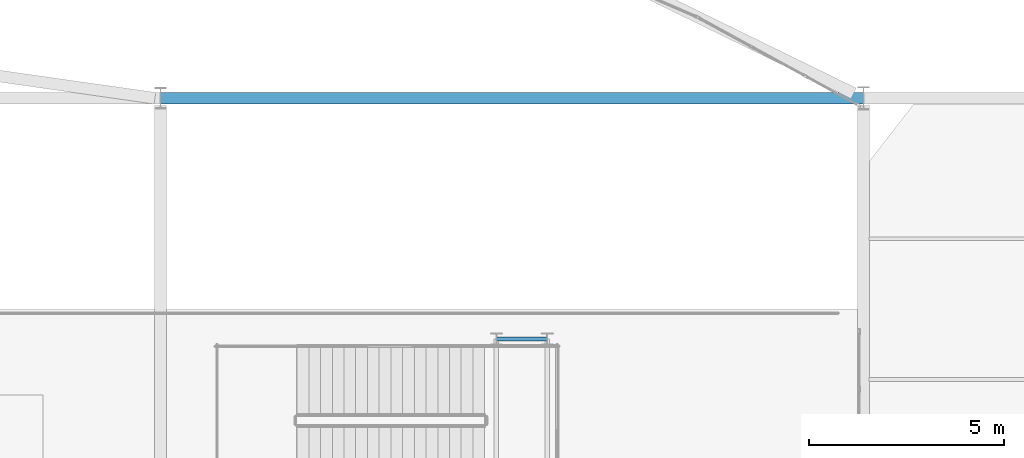
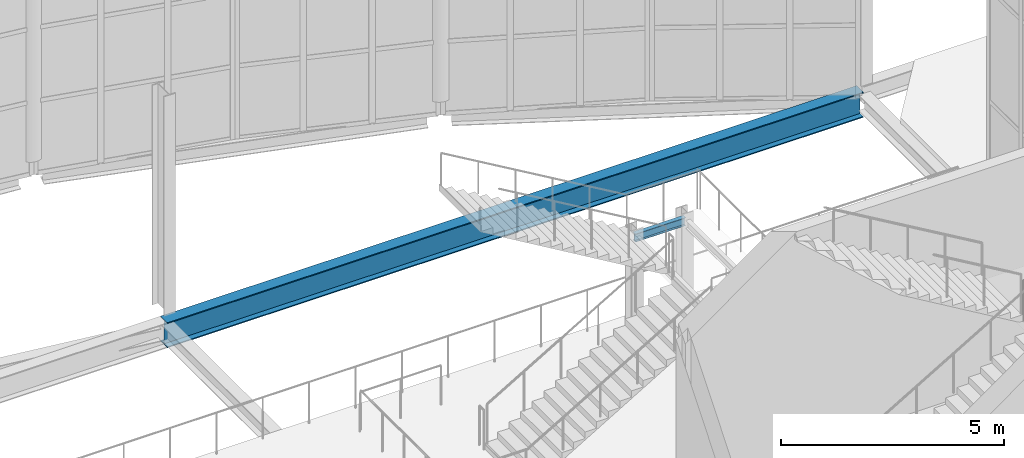
# One storey, part 123 of 191: 2 beams.
"""IFC4 building model written with IfcOpenShell, lengths in metres."""

from ifc_helpers import new_model, si_unit, direction, frame, origin, origin_2d, place, context, subcontext, project, spatial, i_section, extrude, material, material_profile, profile_set, type_object, element, save


model = new_model("IFC4")

# Units and contexts
model_context = context("Model", 3, precision=1e-05, world=origin(), true_north=direction((0.0, 1.0)))
body_context = subcontext(model_context, "Body", "Model", "MODEL_VIEW")
ifc_project = project(units=[si_unit("LENGTHUNIT", "METRE"), si_unit("AREAUNIT", "SQUARE_METRE"), si_unit("VOLUMEUNIT", "CUBIC_METRE"), si_unit("PLANEANGLEUNIT", "RADIAN"), si_unit("MASSUNIT", "GRAM", prefix="KILO")], contexts=[model_context])

# Site, building, storey
site_placement = place(None, origin())
site = spatial("IfcSite", under=ifc_project, at=site_placement, CompositionType="ELEMENT")
building_placement = place(site_placement, origin())
building = spatial("IfcBuilding", under=site, at=building_placement, Name="Tamarisk Ironworks Central Station", CompositionType="ELEMENT")
storey_placement = place(building_placement, frame((0.0, 0.0, 6.60009765625)))
storey = spatial("IfcBuildingStorey", under=building, at=storey_placement, Name="L01", CompositionType="ELEMENT", Elevation=6.60009765625)

# Beams
ifc_material = material(Name="Structural steel S355J2", Category="steel")
ifc_material_profile_1 = material_profile(ifc_material, i_section(OverallWidth=0.300048828125, OverallDepth=0.68994140625, WebThickness=0.014404296875, FlangeThickness=0.027099609375, at=origin_2d()), Name="HEA 700")
ifc_profile_set_1 = profile_set([ifc_material_profile_1], Name="Structural steel S355J2")
beam_type_1 = type_object("IfcBeamType", Name="BM-G01", PredefinedType="BEAM", material=ifc_profile_set_1)
beam_1_placement = place(storey_placement, frame((90.00390625, 111.60009765625, -0.64501953125), z_axis=(1.0, 0.0, 0.0), x_axis=(0.0, 1.0, 0.0)))
element("IfcBeam", 1, at=beam_1_placement, inside=storey, type_object=beam_type_1, Name="L01 primary girder X-0135", PredefinedType="BEAM", context=body_context, shape_type="SweptSolid", body=[
    extrude(i_section(OverallWidth=0.300048828125, OverallDepth=0.68994140625, WebThickness=0.014404296875, FlangeThickness=0.027099609375, at=origin_2d()), origin(), (0.0, 0.0, 1.0), 17.9921875),
])
ifc_material_profile_2 = material_profile(ifc_material, i_section(OverallWidth=0.110107421875, OverallDepth=0.219970703125, WebThickness=0.005859375, FlangeThickness=0.00927734375, at=origin_2d()), Name="IPE 220")
ifc_profile_set_2 = profile_set([ifc_material_profile_2], Name="Structural steel S355J2")
beam_type_2 = type_object("IfcBeamType", Name="BM-J02", PredefinedType="JOIST", material=ifc_profile_set_2)
beam_2_placement = place(storey_placement, frame((98.60009765625, 105.43505859375, 2.679931640625), z_axis=(1.0, 0.0, 0.0), x_axis=(0.0, 1.0, 0.0)))
element("IfcBeam", 2, at=beam_2_placement, inside=storey, type_object=beam_type_2, Name="ST-MZ2 landing frame beam Z1-2", PredefinedType="JOIST", context=body_context, shape_type="SweptSolid", body=[
    extrude(i_section(OverallWidth=0.110107421875, OverallDepth=0.219970703125, WebThickness=0.005859375, FlangeThickness=0.00927734375, at=origin_2d()), origin(), (0.0, 0.0, 1.0), 1.2998046875),
])

save(model, "model.ifc")
